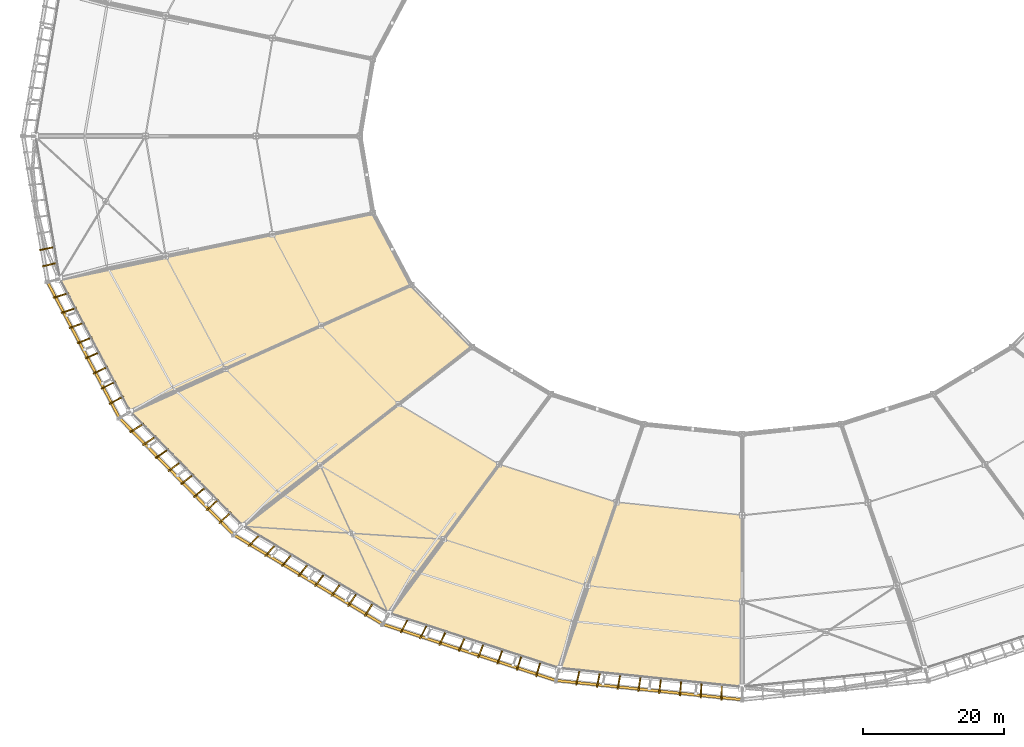
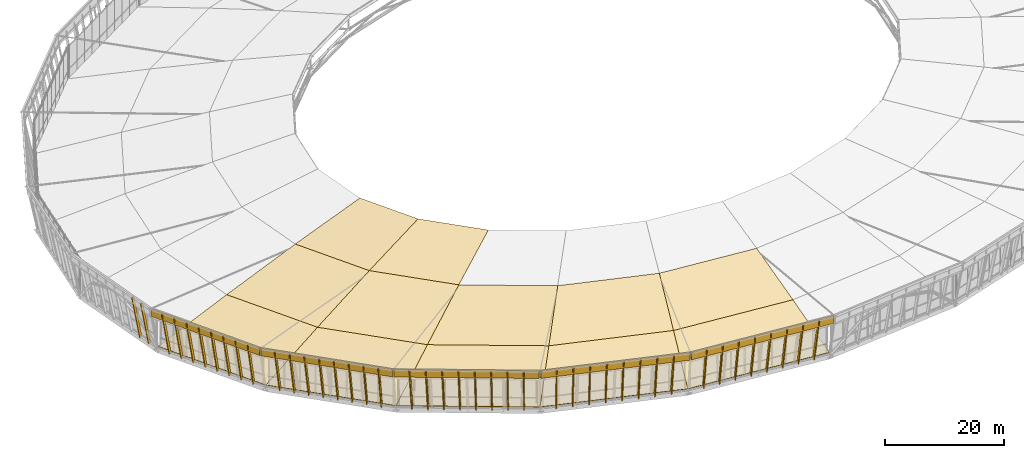
# One storey, part 111 of 115: 42 shading devices, 17 coverings, 2 elements without a shape of their own.
"""IFC4 building model written with IfcOpenShell, lengths in metres."""

from ifc_helpers import new_model, si_unit, direction, frame, origin, origin_2d, place, context, subcontext, project, spatial, polyline, rectangle, outline, extrude, material, layer, layer_set, material_profile, profile_set, type_object, element, aggregate, save


model = new_model("IFC4")

# Units and contexts
model_context = context("Model", 3, precision=1e-05, world=origin(), true_north=direction((0.0, 1.0)))
body_context = subcontext(model_context, "Body", "Model", "MODEL_VIEW")
ifc_project = project(units=[si_unit("LENGTHUNIT", "METRE"), si_unit("AREAUNIT", "SQUARE_METRE"), si_unit("VOLUMEUNIT", "CUBIC_METRE"), si_unit("PLANEANGLEUNIT", "RADIAN"), si_unit("MASSUNIT", "GRAM", prefix="KILO")], contexts=[model_context])

# Site, building, storey
site_placement = place(None, origin())
site = spatial("IfcSite", under=ifc_project, at=site_placement, CompositionType="ELEMENT")
building_placement = place(site_placement, origin())
building = spatial("IfcBuilding", under=site, at=building_placement, Name="Zlatoyarsky Gate Stadium", CompositionType="ELEMENT")
storey_placement = place(building_placement, frame((0.0, 0.0, 31.800048828125)))
storey = spatial("IfcBuildingStorey", under=building, at=storey_placement, Name="RF", CompositionType="ELEMENT", Elevation=31.800048828125)

# Coverings
ifc_material_1 = material(Name="Perforated stone-toned anodised aluminium fascia cladding", Category="masonry")
ifc_layer_1 = layer(ifc_material_1, 0.044921875)
ifc_layer_set_1 = layer_set([ifc_layer_1], Name="Perforated stone-toned anodised aluminium fascia cladding")
covering_type_1 = type_object("IfcCoveringType", Name="PERFORATED ANODISED CROWN FASCIA SCREEN 45", PredefinedType="CLADDING", material=ifc_layer_set_1)
covering_1_placement = place(storey_placement, frame((17.849609375, 49.7626953125, 7.39990234375), z_axis=(0.0, 0.0, 1.0), x_axis=(0.46744793664, -0.884020603001, 0.0)))
element("IfcCovering", 1, at=covering_1_placement, inside=storey, type_object=covering_type_1, Name="RF crown perforated eaves fascia cladding sector 13", PredefinedType="CLADDING", context=body_context, shape_type="SweptSolid", body=[
    extrude(rectangle(XDim=21.502197265625, YDim=0.360107421875, at=origin_2d()), origin(), (0.0, 0.0, 1.0), 1.449951171875),
])
covering_2_placement = place(storey_placement, frame((31.010009765625, 31.899658203125, 7.39990234375), z_axis=(0.0, 0.0, 1.0), x_axis=(0.699762493402, -0.71437556847, 0.0)))
element("IfcCovering", 2, at=covering_2_placement, inside=storey, type_object=covering_type_1, Name="RF crown perforated eaves fascia cladding sector 14", PredefinedType="CLADDING", context=body_context, shape_type="SweptSolid", body=[
    extrude(rectangle(XDim=22.861572265625, YDim=0.360107421875, at=origin_2d()), origin(), (0.0, 0.0, 1.0), 1.449951171875),
])
covering_3_placement = place(storey_placement, frame((49.621337890625, 17.314208984375, 7.39990234375), z_axis=(0.0, 0.0, 1.0), x_axis=(0.85708092378, -0.515181802952, 0.0)))
element("IfcCovering", 3, at=covering_3_placement, inside=storey, type_object=covering_type_1, Name="RF crown perforated eaves fascia cladding sector 15", PredefinedType="CLADDING", context=body_context, shape_type="SweptSolid", body=[
    extrude(rectangle(XDim=24.337890625, YDim=0.360107421875, at=origin_2d()), origin(), (0.0, 0.0, 1.0), 1.449951171875),
])
covering_4_placement = place(storey_placement, frame((72.415771484375, 7.0009765625, 7.39990234375), z_axis=(0.0, 0.0, 1.0), x_axis=(0.951181318292, -0.30863262908, 0.0)))
element("IfcCovering", 4, at=covering_4_placement, inside=storey, type_object=covering_type_1, Name="RF crown perforated eaves fascia cladding sector 16", PredefinedType="CLADDING", context=body_context, shape_type="SweptSolid", body=[
    extrude(rectangle(XDim=25.548095703125, YDim=0.360107421875, at=origin_2d()), origin(), (0.0, 0.0, 1.0), 1.449951171875),
])
covering_5_placement = place(storey_placement, frame((97.839599609375, 1.662353515625, 7.39990234375), z_axis=(0.0, 0.0, 1.0), x_axis=(0.994724084553, -0.102586527428, 0.0)))
element("IfcCovering", 5, at=covering_5_placement, inside=storey, type_object=covering_type_1, Name="RF crown perforated eaves fascia cladding sector 17", PredefinedType="CLADDING", context=body_context, shape_type="SweptSolid", body=[
    extrude(rectangle(XDim=26.2216796875, YDim=0.360107421875, at=origin_2d()), origin(), (0.0, 0.0, 1.0), 1.449951171875),
])

# Shading devices
ifc_material_2 = material(Name="Precast concrete C40/50 stone-toned architectural rib", Category="masonry")
ifc_material_profile = material_profile(ifc_material_2, rectangle(XDim=0.179931640625, YDim=0.47998046875, at=origin_2d()), Name="RIB 180X480")
ifc_profile_set = profile_set([ifc_material_profile], Name="Precast concrete C40/50 stone-toned architectural rib")
shading_device_type = type_object("IfcShadingDeviceType", Name="PRECAST RIBBED BOWL LOUVRE FIN 180X480", PredefinedType="JALOUSIE", material=ifc_profile_set)
shading_device_1_placement = place(storey_placement, frame((13.623291015625, 64.292724609375, -0.35009765625), z_axis=(-0.190601558805, -0.039420286496, 0.980875673464), x_axis=(0.202534070788, -0.979275216765, 0.0)))
element("IfcShadingDevice", 6, at=shading_device_1_placement, inside=storey, type_object=shading_device_type, Name="RF crown fluted louvre fin 12-7", PredefinedType="JALOUSIE", context=body_context, shape_type="SweptSolid", body=[
    extrude(rectangle(XDim=0.179931640625, YDim=0.47998046875, at=origin_2d()), origin(), (0.0, 0.0, 1.0), 9.277587890625),
])
for number, where, z_axis, x_axis, name in (
    (7, (14.002197265625, 62.048828125, -0.35009765625), (-0.189871551575, -0.045047130861, 0.980774974142), (0.23084267522, -0.972991089012, 0.0), "RF crown fluted louvre fin 12-8"),
    (8, (15.4912109375, 57.714111328125, -0.35009765625), (-0.186950900828, -0.055940551043, 0.980775211467), (0.286667433462, -0.958030157454, 0.0), "RF crown fluted louvre fin 13-1"),
):
    element("IfcShadingDevice", number, at=place(storey_placement, frame(where, z_axis=z_axis, x_axis=x_axis)), inside=storey, type_object=shading_device_type, Name=name, PredefinedType="JALOUSIE", context=body_context, shape_type="SweptSolid", body=[
        extrude(rectangle(XDim=0.179931640625, YDim=0.47998046875, at=origin_2d()), origin(), (0.0, 0.0, 1.0), 9.278564453125),
    ])
shading_device_2_placement = place(storey_placement, frame((16.601318359375, 55.623046875, -0.35009765625), z_axis=(-0.184785302945, -0.061182829585, 0.980872597833), x_axis=(0.314320923346, -0.949316784402, 0.0)))
element("IfcShadingDevice", 9, at=shading_device_2_placement, inside=storey, type_object=shading_device_type, Name="RF crown fluted louvre fin 13-2", PredefinedType="JALOUSIE", context=body_context, shape_type="SweptSolid", body=[
    extrude(rectangle(XDim=0.179931640625, YDim=0.47998046875, at=origin_2d()), origin(), (0.0, 0.0, 1.0), 9.277587890625),
])
shading_device_3_placement = place(storey_placement, frame((17.711669921875, 53.531982421875, -0.35009765625), z_axis=(-0.182613396654, -0.066424011119, 0.980938427277), x_axis=(0.34183005436, -0.939761785739, 0.0)))
element("IfcShadingDevice", 10, at=shading_device_3_placement, inside=storey, type_object=shading_device_type, Name="RF crown fluted louvre fin 13-3", PredefinedType="JALOUSIE", context=body_context, shape_type="SweptSolid", body=[
    extrude(rectangle(XDim=0.179931640625, YDim=0.47998046875, at=origin_2d()), origin(), (0.0, 0.0, 1.0), 9.27685546875),
])
for number, where, z_axis, x_axis, name in (
    (11, (18.822021484375, 51.441162109375, -0.35009765625), (-0.180460509711, -0.071689431013, 0.980966171647), (0.369193060763, -0.929352723074, 0.0), "RF crown fluted louvre fin 13-4"),
    (12, (19.932373046875, 49.35009765625, -0.35009765625), (-0.17830209172, -0.076926496546, 0.980964157458), (0.396142641461, -0.918188982517, 0.0), "RF crown fluted louvre fin 13-5"),
):
    element("IfcShadingDevice", number, at=place(storey_placement, frame(where, z_axis=z_axis, x_axis=x_axis)), inside=storey, type_object=shading_device_type, Name=name, PredefinedType="JALOUSIE", context=body_context, shape_type="SweptSolid", body=[
        extrude(rectangle(XDim=0.179931640625, YDim=0.47998046875, at=origin_2d()), origin(), (0.0, 0.0, 1.0), 9.276611328125),
    ])
shading_device_4_placement = place(storey_placement, frame((21.042724609375, 47.259033203125, -0.35009765625), z_axis=(-0.176112530755, -0.082161285268, 0.980935216879), x_axis=(0.4227816734, -0.906231568992, 0.0)))
element("IfcShadingDevice", 13, at=shading_device_4_placement, inside=storey, type_object=shading_device_type, Name="RF crown fluted louvre fin 13-6", PredefinedType="JALOUSIE", context=body_context, shape_type="SweptSolid", body=[
    extrude(rectangle(XDim=0.179931640625, YDim=0.47998046875, at=origin_2d()), origin(), (0.0, 0.0, 1.0), 9.27685546875),
])
shading_device_5_placement = place(storey_placement, frame((22.153076171875, 45.168212890625, -0.35009765625), z_axis=(-0.173942618792, -0.087418665602, 0.980867953535), x_axis=(0.44905102955, -0.89350611238, 0.0)))
element("IfcShadingDevice", 14, at=shading_device_5_placement, inside=storey, type_object=shading_device_type, Name="RF crown fluted louvre fin 13-7", PredefinedType="JALOUSIE", context=body_context, shape_type="SweptSolid", body=[
    extrude(rectangle(XDim=0.179931640625, YDim=0.47998046875, at=origin_2d()), origin(), (0.0, 0.0, 1.0), 9.277587890625),
])
shading_device_6_placement = place(storey_placement, frame((23.26318359375, 43.0771484375, -0.35009765625), z_axis=(-0.17171679421, -0.092647078212, 0.980780230982), x_axis=(0.474831474978, -0.880076741183, 0.0)))
element("IfcShadingDevice", 15, at=shading_device_6_placement, inside=storey, type_object=shading_device_type, Name="RF crown fluted louvre fin 13-8", PredefinedType="JALOUSIE", context=body_context, shape_type="SweptSolid", body=[
    extrude(rectangle(XDim=0.179931640625, YDim=0.47998046875, at=origin_2d()), origin(), (0.0, 0.0, 1.0), 9.2783203125),
])
shading_device_7_placement = place(storey_placement, frame((26.139892578125, 39.190673828125, -0.35009765625), z_axis=(-0.166111293154, -0.102408546326, 0.980774962938), x_axis=(0.524789382262, -0.851232109512, 0.0)))
element("IfcShadingDevice", 16, at=shading_device_7_placement, inside=storey, type_object=shading_device_type, Name="RF crown fluted louvre fin 14-1", PredefinedType="JALOUSIE", context=body_context, shape_type="SweptSolid", body=[
    extrude(rectangle(XDim=0.179931640625, YDim=0.47998046875, at=origin_2d()), origin(), (0.0, 0.0, 1.0), 9.278564453125),
])
shading_device_8_placement = place(storey_placement, frame((27.906005859375, 37.39501953125, -0.35009765625), z_axis=(-0.162654758763, -0.106892675958, 0.980875825616), x_axis=(0.549196771849, -0.835693069129, 0.0)))
element("IfcShadingDevice", 17, at=shading_device_8_placement, inside=storey, type_object=shading_device_type, Name="RF crown fluted louvre fin 14-2", PredefinedType="JALOUSIE", context=body_context, shape_type="SweptSolid", body=[
    extrude(rectangle(XDim=0.179931640625, YDim=0.47998046875, at=origin_2d()), origin(), (0.0, 0.0, 1.0), 9.277587890625),
])
shading_device_9_placement = place(storey_placement, frame((29.67236328125, 35.599609375, -0.35009765625), z_axis=(-0.159217123819, -0.111425669793, 0.980935384005), x_axis=(0.573371454425, -0.819295535964, 0.0)))
element("IfcShadingDevice", 18, at=shading_device_9_placement, inside=storey, type_object=shading_device_type, Name="RF crown fluted louvre fin 14-3", PredefinedType="JALOUSIE", context=body_context, shape_type="SweptSolid", body=[
    extrude(rectangle(XDim=0.179931640625, YDim=0.47998046875, at=origin_2d()), origin(), (0.0, 0.0, 1.0), 9.27685546875),
])
for number, where, z_axis, x_axis, name in (
    (19, (31.438720703125, 33.803955078125, -0.35009765625), (-0.155774503633, -0.115929496283, 0.980966184896), (0.597024968871, -0.802222653972, 0.0), "RF crown fluted louvre fin 14-4"),
    (20, (33.204833984375, 32.00830078125, -0.35009765625), (-0.152301064352, -0.120430217812, 0.980969392201), (0.620254979667, -0.784400255099, 0.0), "RF crown fluted louvre fin 14-5"),
):
    element("IfcShadingDevice", number, at=place(storey_placement, frame(where, z_axis=z_axis, x_axis=x_axis)), inside=storey, type_object=shading_device_type, Name=name, PredefinedType="JALOUSIE", context=body_context, shape_type="SweptSolid", body=[
        extrude(rectangle(XDim=0.179931640625, YDim=0.47998046875, at=origin_2d()), origin(), (0.0, 0.0, 1.0), 9.276611328125),
    ])
shading_device_10_placement = place(storey_placement, frame((34.97119140625, 30.212890625, -0.35009765625), z_axis=(-0.148848036831, -0.12495234775, 0.980933826883), x_axis=(0.642950695549, -0.765907568244, 0.0)))
element("IfcShadingDevice", 21, at=shading_device_10_placement, inside=storey, type_object=shading_device_type, Name="RF crown fluted louvre fin 14-6", PredefinedType="JALOUSIE", context=body_context, shape_type="SweptSolid", body=[
    extrude(rectangle(XDim=0.179931640625, YDim=0.47998046875, at=origin_2d()), origin(), (0.0, 0.0, 1.0), 9.27685546875),
])
shading_device_11_placement = place(storey_placement, frame((36.7373046875, 28.417236328125, -0.35009765625), z_axis=(-0.145365289642, -0.129444579969, 0.980873607191), x_axis=(0.66502650148, -0.74681975893, 0.0)))
element("IfcShadingDevice", 22, at=shading_device_11_placement, inside=storey, type_object=shading_device_type, Name="RF crown fluted louvre fin 14-7", PredefinedType="JALOUSIE", context=body_context, shape_type="SweptSolid", body=[
    extrude(rectangle(XDim=0.179931640625, YDim=0.47998046875, at=origin_2d()), origin(), (0.0, 0.0, 1.0), 9.277587890625),
])
for number, where, z_axis, x_axis, name in (
    (23, (38.503662109375, 26.621826171875, -0.35009765625), (-0.141903669219, -0.133957274244, 0.980774590484), (0.68645326365, -0.727173924742, 0.0), "RF crown fluted louvre fin 14-8"),
    (24, (42.571533203125, 23.448486328125, -0.35009765625), (-0.133930933581, -0.141929952011, 0.980774384735), (0.72730475479, -0.686314646252, 0.0), "RF crown fluted louvre fin 15-1"),
):
    element("IfcShadingDevice", number, at=place(storey_placement, frame(where, z_axis=z_axis, x_axis=x_axis)), inside=storey, type_object=shading_device_type, Name=name, PredefinedType="JALOUSIE", context=body_context, shape_type="SweptSolid", body=[
        extrude(rectangle(XDim=0.179931640625, YDim=0.47998046875, at=origin_2d()), origin(), (0.0, 0.0, 1.0), 9.278564453125),
    ])
shading_device_12_placement = place(storey_placement, frame((44.873291015625, 22.070556640625, -0.35009765625), z_axis=(-0.12941870555, -0.145365784761, 0.98087694808), x_axis=(0.746886906655, -0.664951087424, 0.0)))
element("IfcShadingDevice", 25, at=shading_device_12_placement, inside=storey, type_object=shading_device_type, Name="RF crown fluted louvre fin 15-2", PredefinedType="JALOUSIE", context=body_context, shape_type="SweptSolid", body=[
    extrude(rectangle(XDim=0.179931640625, YDim=0.47998046875, at=origin_2d()), origin(), (0.0, 0.0, 1.0), 9.277587890625),
])
shading_device_13_placement = place(storey_placement, frame((47.17529296875, 20.69287109375, -0.35009765625), z_axis=(-0.12495234775, -0.148848036831, 0.980933826883), x_axis=(0.765907568244, -0.642950695549, 0.0)))
element("IfcShadingDevice", 26, at=shading_device_13_placement, inside=storey, type_object=shading_device_type, Name="RF crown fluted louvre fin 15-3", PredefinedType="JALOUSIE", context=body_context, shape_type="SweptSolid", body=[
    extrude(rectangle(XDim=0.179931640625, YDim=0.47998046875, at=origin_2d()), origin(), (0.0, 0.0, 1.0), 9.27685546875),
])
for number, where, z_axis, x_axis, name in (
    (27, (49.47705078125, 19.31494140625, -0.35009765625), (-0.120430217812, -0.152301064352, 0.980969392201), (0.784400255099, -0.620254979667, 0.0), "RF crown fluted louvre fin 15-4"),
    (28, (51.77880859375, 17.937255859375, -0.35009765625), (-0.115929496283, -0.155774503633, 0.980966184896), (0.802222653972, -0.597024968871, 0.0), "RF crown fluted louvre fin 15-5"),
):
    element("IfcShadingDevice", number, at=place(storey_placement, frame(where, z_axis=z_axis, x_axis=x_axis)), inside=storey, type_object=shading_device_type, Name=name, PredefinedType="JALOUSIE", context=body_context, shape_type="SweptSolid", body=[
        extrude(rectangle(XDim=0.179931640625, YDim=0.47998046875, at=origin_2d()), origin(), (0.0, 0.0, 1.0), 9.276611328125),
    ])
shading_device_14_placement = place(storey_placement, frame((54.080810546875, 16.5595703125, -0.35009765625), z_axis=(-0.111425669793, -0.159217123819, 0.980935384005), x_axis=(0.819295535964, -0.573371454425, 0.0)))
element("IfcShadingDevice", 29, at=shading_device_14_placement, inside=storey, type_object=shading_device_type, Name="RF crown fluted louvre fin 15-6", PredefinedType="JALOUSIE", context=body_context, shape_type="SweptSolid", body=[
    extrude(rectangle(XDim=0.179931640625, YDim=0.47998046875, at=origin_2d()), origin(), (0.0, 0.0, 1.0), 9.27685546875),
])
shading_device_15_placement = place(storey_placement, frame((56.382568359375, 15.181640625, -0.35009765625), z_axis=(-0.106918690451, -0.162654301175, 0.980873066172), x_axis=(0.835631015396, -0.549291185173, 0.0)))
element("IfcShadingDevice", 30, at=shading_device_15_placement, inside=storey, type_object=shading_device_type, Name="RF crown fluted louvre fin 15-7", PredefinedType="JALOUSIE", context=body_context, shape_type="SweptSolid", body=[
    extrude(rectangle(XDim=0.179931640625, YDim=0.47998046875, at=origin_2d()), origin(), (0.0, 0.0, 1.0), 9.277587890625),
])
for number, where, z_axis, x_axis, name in (
    (31, (58.684326171875, 13.803955078125, -0.35009765625), (-0.102382509598, -0.166111740707, 0.980777605437), (0.851292342658, -0.524691668823, 0.0), "RF crown fluted louvre fin 15-8"),
    (32, (63.666748046875, 11.56005859375, -0.35009765625), (-0.092646659573, -0.17174233088, 0.980775799178), (0.880107141293, -0.474775125554, 0.0), "RF crown fluted louvre fin 16-1"),
):
    element("IfcShadingDevice", number, at=place(storey_placement, frame(where, z_axis=z_axis, x_axis=x_axis)), inside=storey, type_object=shading_device_type, Name=name, PredefinedType="JALOUSIE", context=body_context, shape_type="SweptSolid", body=[
        extrude(rectangle(XDim=0.179931640625, YDim=0.47998046875, at=origin_2d()), origin(), (0.0, 0.0, 1.0), 9.278564453125),
    ])
shading_device_16_placement = place(storey_placement, frame((66.347412109375, 10.69384765625, -0.35009765625), z_axis=(-0.087419065717, -0.173917099736, 0.980872442965), x_axis=(0.89347884985, -0.449105271479, 0.0)))
element("IfcShadingDevice", 33, at=shading_device_16_placement, inside=storey, type_object=shading_device_type, Name="RF crown fluted louvre fin 16-2", PredefinedType="JALOUSIE", context=body_context, shape_type="SweptSolid", body=[
    extrude(rectangle(XDim=0.179931640625, YDim=0.47998046875, at=origin_2d()), origin(), (0.0, 0.0, 1.0), 9.277587890625),
])
shading_device_17_placement = place(storey_placement, frame((69.02783203125, 9.827880859375, -0.35009765625), z_axis=(-0.082187424408, -0.1761121499, 0.980933095541), x_axis=(0.906179680524, -0.422892878404, 0.0)))
element("IfcShadingDevice", 34, at=shading_device_17_placement, inside=storey, type_object=shading_device_type, Name="RF crown fluted louvre fin 16-3", PredefinedType="JALOUSIE", context=body_context, shape_type="SweptSolid", body=[
    extrude(rectangle(XDim=0.179931640625, YDim=0.47998046875, at=origin_2d()), origin(), (0.0, 0.0, 1.0), 9.277099609375),
])
for number, where, z_axis, x_axis, name in (
    (35, (71.708251953125, 8.961669921875, -0.35009765625), (-0.076926857499, -0.17827661057, 0.980968760318), (0.918167710581, -0.396191942431, 0.0), "RF crown fluted louvre fin 16-4"),
    (36, (74.388916015625, 8.095458984375, -0.35009765625), (-0.071663248489, -0.180460850125, 0.980968022103), (0.92939922098, -0.369075992231, 0.0), "RF crown fluted louvre fin 16-5"),
):
    element("IfcShadingDevice", number, at=place(storey_placement, frame(where, z_axis=z_axis, x_axis=x_axis)), inside=storey, type_object=shading_device_type, Name=name, PredefinedType="JALOUSIE", context=body_context, shape_type="SweptSolid", body=[
        extrude(rectangle(XDim=0.179931640625, YDim=0.47998046875, at=origin_2d()), origin(), (0.0, 0.0, 1.0), 9.276611328125),
    ])
shading_device_18_placement = place(storey_placement, frame((77.0693359375, 7.2294921875, -0.35009765625), z_axis=(-0.066423691876, -0.182638835823, 0.980933712749), x_axis=(0.939777607634, -0.341786553554, 0.0)))
element("IfcShadingDevice", 37, at=shading_device_18_placement, inside=storey, type_object=shading_device_type, Name="RF crown fluted louvre fin 16-6", PredefinedType="JALOUSIE", context=body_context, shape_type="SweptSolid", body=[
    extrude(rectangle(XDim=0.179931640625, YDim=0.47998046875, at=origin_2d()), origin(), (0.0, 0.0, 1.0), 9.27685546875),
])
shading_device_19_placement = place(storey_placement, frame((79.75, 6.36328125, -0.35009765625), z_axis=(-0.061182829585, -0.184785302945, 0.980872597833), x_axis=(0.949316784402, -0.314320923346, 0.0)))
element("IfcShadingDevice", 38, at=shading_device_19_placement, inside=storey, type_object=shading_device_type, Name="RF crown fluted louvre fin 16-7", PredefinedType="JALOUSIE", context=body_context, shape_type="SweptSolid", body=[
    extrude(rectangle(XDim=0.179931640625, YDim=0.47998046875, at=origin_2d()), origin(), (0.0, 0.0, 1.0), 9.277587890625),
])
shading_device_20_placement = place(storey_placement, frame((82.430419921875, 5.497314453125, -0.35009765625), z_axis=(-0.055914320744, -0.186951175945, 0.980776654773), x_axis=(0.958067182505, -0.286543668237, 0.0)))
element("IfcShadingDevice", 39, at=shading_device_20_placement, inside=storey, type_object=shading_device_type, Name="RF crown fluted louvre fin 16-8", PredefinedType="JALOUSIE", context=body_context, shape_type="SweptSolid", body=[
    extrude(rectangle(XDim=0.179931640625, YDim=0.47998046875, at=origin_2d()), origin(), (0.0, 0.0, 1.0), 9.278564453125),
])
shading_device_21_placement = place(storey_placement, frame((87.987548828125, 4.335693359375, -0.35009765625), z_axis=(-0.045047355903, -0.189846187409, 0.980779873801), x_axis=(0.972983902304, -0.23087296476, 0.0)))
element("IfcShadingDevice", 40, at=shading_device_21_placement, inside=storey, type_object=shading_device_type, Name="RF crown fluted louvre fin 17-1", PredefinedType="JALOUSIE", context=body_context, shape_type="SweptSolid", body=[
    extrude(rectangle(XDim=0.179931640625, YDim=0.47998046875, at=origin_2d()), origin(), (0.0, 0.0, 1.0), 9.2783203125),
])
shading_device_22_placement = place(storey_placement, frame((90.864013671875, 4.040283203125, -0.35009765625), z_axis=(-0.039420088762, -0.190626917886, 0.980870753351), x_axis=(0.979280761697, -0.202507258562, 0.0)))
element("IfcShadingDevice", 41, at=shading_device_22_placement, inside=storey, type_object=shading_device_type, Name="RF crown fluted louvre fin 17-2", PredefinedType="JALOUSIE", context=body_context, shape_type="SweptSolid", body=[
    extrude(rectangle(XDim=0.179931640625, YDim=0.47998046875, at=origin_2d()), origin(), (0.0, 0.0, 1.0), 9.277587890625),
])
shading_device_23_placement = place(storey_placement, frame((93.74072265625, 3.744873046875, -0.35009765625), z_axis=(-0.033790857687, -0.191376259423, 0.980934913879), x_axis=(0.984767195109, -0.1738780361, 0.0)))
element("IfcShadingDevice", 42, at=shading_device_23_placement, inside=storey, type_object=shading_device_type, Name="RF crown fluted louvre fin 17-3", PredefinedType="JALOUSIE", context=body_context, shape_type="SweptSolid", body=[
    extrude(rectangle(XDim=0.179931640625, YDim=0.47998046875, at=origin_2d()), origin(), (0.0, 0.0, 1.0), 9.27685546875),
])
for number, where, z_axis, x_axis, name in (
    (43, (96.6171875, 3.449462890625, -0.35009765625), (-0.028159981695, -0.192119501284, 0.980967437103), (0.989427883865, -0.145025730923, 0.0), "RF crown fluted louvre fin 17-4"),
    (44, (99.493896484375, 3.154052734375, -0.35009765625), (-0.022528005484, -0.192856570316, 0.980968313584), (0.993246487987, -0.116023334295, 0.0), "RF crown fluted louvre fin 17-5"),
):
    element("IfcShadingDevice", number, at=place(storey_placement, frame(where, z_axis=z_axis, x_axis=x_axis)), inside=storey, type_object=shading_device_type, Name=name, PredefinedType="JALOUSIE", context=body_context, shape_type="SweptSolid", body=[
        extrude(rectangle(XDim=0.179931640625, YDim=0.47998046875, at=origin_2d()), origin(), (0.0, 0.0, 1.0), 9.276611328125),
    ])
shading_device_24_placement = place(storey_placement, frame((102.370361328125, 2.858642578125, -0.35009765625), z_axis=(-0.016895474128, -0.193587395149, 0.980937543065), x_axis=(0.996213096762, -0.086945188706, 0.0)))
element("IfcShadingDevice", 45, at=shading_device_24_placement, inside=storey, type_object=shading_device_type, Name="RF crown fluted louvre fin 17-6", PredefinedType="JALOUSIE", context=body_context, shape_type="SweptSolid", body=[
    extrude(rectangle(XDim=0.179931640625, YDim=0.47998046875, at=origin_2d()), origin(), (0.0, 0.0, 1.0), 9.27685546875),
])
shading_device_25_placement = place(storey_placement, frame((105.246826171875, 2.563232421875, -0.35009765625), z_axis=(-0.01126293281, -0.194311906235, 0.980875134479), x_axis=(0.998324356932, -0.057866038024, 0.0)))
element("IfcShadingDevice", 46, at=shading_device_25_placement, inside=storey, type_object=shading_device_type, Name="RF crown fluted louvre fin 17-7", PredefinedType="JALOUSIE", context=body_context, shape_type="SweptSolid", body=[
    extrude(rectangle(XDim=0.179931640625, YDim=0.47998046875, at=origin_2d()), origin(), (0.0, 0.0, 1.0), 9.277587890625),
])
shading_device_26_placement = place(storey_placement, frame((108.123291015625, 2.267822265625, -0.35009765625), z_axis=(-0.005604585886, -0.195055376404, 0.980776217469), x_axis=(0.999587453985, -0.028721452543, 0.0)))
element("IfcShadingDevice", 47, at=shading_device_26_placement, inside=storey, type_object=shading_device_type, Name="RF crown fluted louvre fin 17-8", PredefinedType="JALOUSIE", context=body_context, shape_type="SweptSolid", body=[
    extrude(rectangle(XDim=0.179931640625, YDim=0.47998046875, at=origin_2d()), origin(), (0.0, 0.0, 1.0), 9.278564453125),
])

# Roof, coverings
ifc_material_3 = material(Name="Standing-seam aluminium-zinc roofing with mineral wool insulation", Category="aluminium")
ifc_layer_2 = layer(ifc_material_3, 0.080078125)
ifc_layer_set_2 = layer_set([ifc_layer_2], Name="Standing-seam aluminium-zinc roofing with mineral wool insulation")
roof_type = type_object("IfcRoofType", Name="STADIUM BARREL VAULT ROOF ASSEMBLY", PredefinedType="BARREL_ROOF", material=ifc_layer_set_2)
roof_1_placement = place(storey_placement, origin())
roof_1 = element("IfcRoof", 48, at=roof_1_placement, inside=storey, type_object=roof_type, Name="Stadium barrel arch roof sector 5", PredefinedType="BARREL_ROOF")
ifc_layer_3 = layer(ifc_material_3, 0.06005859375)
ifc_layer_set_3 = layer_set([ifc_layer_3], Name="Standing-seam aluminium-zinc roofing with mineral wool insulation")
covering_type_2 = type_object("IfcCoveringType", Name="STANDING SEAM ALUMINIUM ZINC ROOFING 60", PredefinedType="ROOFING", material=ifc_layer_set_3)
covering_6_placement = place(storey_placement, frame((14.380859375, 59.804931640625, 0.260009765625), z_axis=(-0.197393520935, -0.104815476231, 0.974704834212), x_axis=(0.468978328534, -0.8832096735, -7.78726e-07)))
covering_6 = element("IfcCovering", 49, at=covering_6_placement, type_object=covering_type_2, Name="Stadium standing seam roofing sector 13 bay 1", PredefinedType="ROOFING", context=body_context, shape_type="SweptSolid", body=[
    extrude(outline(polyline([(0.0, 0.0), (21.30733667960491, -3.552713678800501e-15), (22.272037155518145, 15.212437205781285), (4.297197083498218, 15.212300335087063), (0.0, 0.0)])), origin(), (0.0, 0.0, -1.0), 0.06005859375),
])
covering_7_placement = place(storey_placement, frame((29.491943359375, 62.96337890625, 3.659912109375), z_axis=(-0.183541042483, -0.097459660481, 0.97816885061), x_axis=(0.46898487922, -0.883206195099, 1.019999e-06)))
covering_7 = element("IfcCovering", 50, at=covering_7_placement, type_object=covering_type_2, Name="Stadium standing seam roofing sector 13 bay 2", PredefinedType="ROOFING", context=body_context, shape_type="SweptSolid", body=[
    extrude(outline(polyline([(0.0, 0.0), (17.97484007253932, 0.0), (18.939656384642074, 15.15856553760574), (4.297211790298488, 15.158725632562989), (0.0, 0.0)])), origin(), (0.0, 0.0, -1.0), 0.06005859375),
])
covering_8_placement = place(storey_placement, frame((44.603271484375, 66.1220703125, 6.81005859375), z_axis=(-0.164762027399, -0.087486990583, 0.982445673208), x_axis=(0.468975230927, -0.883211318302, -1.93843e-07)))
covering_8 = element("IfcCovering", 51, at=covering_8_placement, type_object=covering_type_2, Name="Stadium standing seam roofing sector 13 bay 3", PredefinedType="ROOFING", context=body_context, shape_type="SweptSolid", body=[
    extrude(outline(polyline([(0.0, 0.0), (14.642444595230506, -1.7763568394002505e-15), (15.550353376214641, 14.204881870937053), (4.044474844243187, 14.204854700251182), (0.0, 0.0)])), origin(), (0.0, 0.0, -1.0), 0.06005859375),
])
covering_9_placement = place(storey_placement, frame((24.37353515625, 40.986083984375, 0.260009765625), z_axis=(-0.168948625829, -0.166192117478, 0.971512502194), x_axis=(0.701266900285, -0.712898824915, -8.8643e-08)))
covering_9 = element("IfcCovering", 52, at=covering_9_placement, type_object=covering_type_2, Name="Stadium standing seam roofing sector 14 bay 1", PredefinedType="ROOFING", context=body_context, shape_type="SweptSolid", body=[
    extrude(outline(polyline([(0.0, 0.0), (22.667889468842993, 0.0), (24.273771870630213, 14.346296345083724), (5.151031200888392, 14.346280713684154), (0.0, 0.0)])), origin(), (0.0, 0.0, -1.0), 0.06005859375),
])
covering_10_placement = place(storey_placement, frame((37.921875, 47.087890625, 3.659912109375), z_axis=(-0.157163436364, -0.154599522261, 0.975396658794), x_axis=(0.701267503741, -0.712898231304, -1.1819e-07)))
covering_10 = element("IfcCovering", 53, at=covering_10_placement, type_object=covering_type_2, Name="Stadium standing seam roofing sector 14 bay 2", PredefinedType="ROOFING", context=body_context, shape_type="SweptSolid", body=[
    extrude(outline(polyline([(0.0, 0.0), (19.122740669748183, 0.0), (20.72863479855162, 14.289166108712909), (5.151042927889645, 14.289147505340267), (0.0, 0.0)])), origin(), (0.0, 0.0, -1.0), 0.06005859375),
])
covering_11_placement = place(storey_placement, frame((51.47021484375, 53.189697265625, 6.81005859375), z_axis=(-0.141161010432, -0.138856723893, 0.980200173109), x_axis=(0.701268194688, -0.712897551629, 1.130846e-06)))
covering_11 = element("IfcCovering", 54, at=covering_11_placement, type_object=covering_type_2, Name="Stadium standing seam roofing sector 14 bay 3", PredefinedType="ROOFING", context=body_context, shape_type="SweptSolid", body=[
    extrude(outline(polyline([(0.0, 0.0), (15.577591870662886, 0.0), (17.088906441996944, 13.382629616332784), (4.848086175728565, 13.382788489483769), (0.0, 0.0)])), origin(), (0.0, 0.0, -1.0), 0.06005859375),
])
aggregate(roof_1, [covering_6, covering_7, covering_8, covering_9, covering_10, covering_11])

roof_2_placement = place(storey_placement, origin())
roof_2 = element("IfcRoof", 55, at=roof_2_placement, inside=storey, type_object=roof_type, Name="Stadium barrel arch roof sector 6", PredefinedType="BARREL_ROOF")
covering_12_placement = place(storey_placement, frame((40.269775390625, 24.826171875, 0.260009765625), z_axis=(-0.129152879329, -0.215770189277, 0.967865052154), x_axis=(0.8580340905, -0.51359273704, -4.42967e-07)))
covering_12 = element("IfcCovering", 56, at=covering_12_placement, type_object=covering_type_2, Name="Stadium standing seam roofing sector 15 bay 1", PredefinedType="ROOFING", context=body_context, shape_type="SweptSolid", body=[
    extrude(outline(polyline([(0.0, 0.0), (24.1439241753555, 0.0), (25.42773523422691, 13.520147369410285), (5.059922171680651, 13.520068961575207), (0.0, 0.0)])), origin(), (0.0, 0.0, -1.0), 0.06005859375),
])
covering_13_placement = place(storey_placement, frame((51.33203125, 33.455322265625, 3.659912109375), z_axis=(-0.120203617004, -0.200821206827, 0.972225248257), x_axis=(0.858036147249, -0.513589300914, -5.91224e-07)))
covering_13 = element("IfcCovering", 57, at=covering_13_placement, type_object=covering_type_2, Name="Stadium standing seam roofing sector 15 bay 2", PredefinedType="ROOFING", context=body_context, shape_type="SweptSolid", body=[
    extrude(outline(polyline([(0.0, 0.0), (20.367813062696413, 3.552713678800501e-15), (21.651676168666086, 13.45950735266839), (5.059974218422185, 13.459413989623384), (0.0, 0.0)])), origin(), (0.0, 0.0, -1.0), 0.06005859375),
])
covering_14_placement = place(storey_placement, frame((60.986083984375, 12.426025390625, 0.260009765625), z_axis=(-0.080926633941, -0.25045970369, 0.964738729785), x_axis=(0.951561589275, -0.307458195234, 8.16732e-07)))
covering_14 = element("IfcCovering", 58, at=covering_14_placement, type_object=covering_type_2, Name="Stadium standing seam roofing sector 16 bay 1", PredefinedType="ROOFING", context=body_context, shape_type="SweptSolid", body=[
    extrude(outline(polyline([(0.0, 0.0), (25.352803638085895, 0.0), (25.581554553527695, 12.9170218581198), (4.193966523606391, 12.91716689231748), (0.0, 0.0)])), origin(), (0.0, 0.0, -1.0), 0.06005859375),
])
covering_15_placement = place(storey_placement, frame((68.808349609375, 22.99462890625, 3.659912109375), z_axis=(-0.075351968542, -0.233204753285, 0.969503802923), x_axis=(0.951559522359, -0.30746459212, -3.31256e-07)))
covering_15 = element("IfcCovering", 59, at=covering_15_placement, type_object=covering_type_2, Name="Stadium standing seam roofing sector 16 bay 2", PredefinedType="ROOFING", context=body_context, shape_type="SweptSolid", body=[
    extrude(outline(polyline([(0.0, 0.0), (21.387588030422577, -1.7763568394002505e-15), (21.616176287943148, 12.853768736129386), (4.193878929177778, 12.853716278917283), (0.0, 0.0)])), origin(), (0.0, 0.0, -1.0), 0.06005859375),
])
covering_16_placement = place(storey_placement, frame((85.11083984375, 4.631103515625, 0.260009765625), z_axis=(-0.027549713933, -0.26827762125, 0.962947626405), x_axis=(0.994768228243, -0.102157584529, -1.052656e-06)))
covering_16 = element("IfcCovering", 60, at=covering_16_placement, type_object=covering_type_2, Name="Stadium standing seam roofing sector 17 bay 1", PredefinedType="ROOFING", context=body_context, shape_type="SweptSolid", body=[
    extrude(outline(polyline([(0.0, 0.0), (26.02531947140747, -4.440892098500626e-16), (24.77862423714168, 12.606873682931372), (2.823692360814947, 12.606686405062462), (0.0, 0.0)])), origin(), (0.0, 0.0, -1.0), 0.06005859375),
])
covering_17_placement = place(storey_placement, frame((89.159912109375, 16.418701171875, 3.659912109375), z_axis=(-0.025658712336, -0.249859215045, 0.967942148653), x_axis=(0.994769061755, -0.102149467801, 1.557277e-06)))
covering_17 = element("IfcCovering", 61, at=covering_17_placement, type_object=covering_type_2, Name="Stadium standing seam roofing sector 17 bay 2", PredefinedType="ROOFING", context=body_context, shape_type="SweptSolid", body=[
    extrude(outline(polyline([(0.0, 0.0), (21.954931877115506, 0.0), (20.70836911967818, 12.541599680499349), (2.8237749582387486, 12.541846686090652), (0.0, 0.0)])), origin(), (0.0, 0.0, -1.0), 0.06005859375),
])
aggregate(roof_2, [covering_12, covering_13, covering_14, covering_15, covering_16, covering_17])

save(model, "model.ifc")
